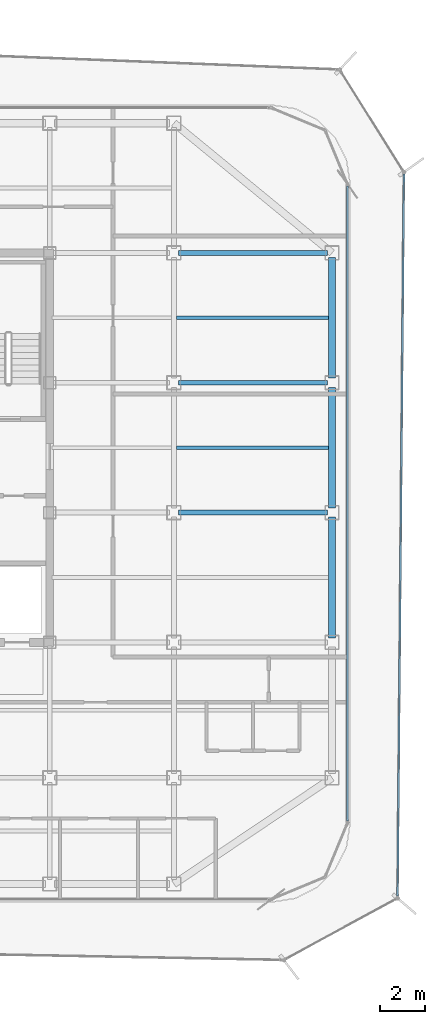
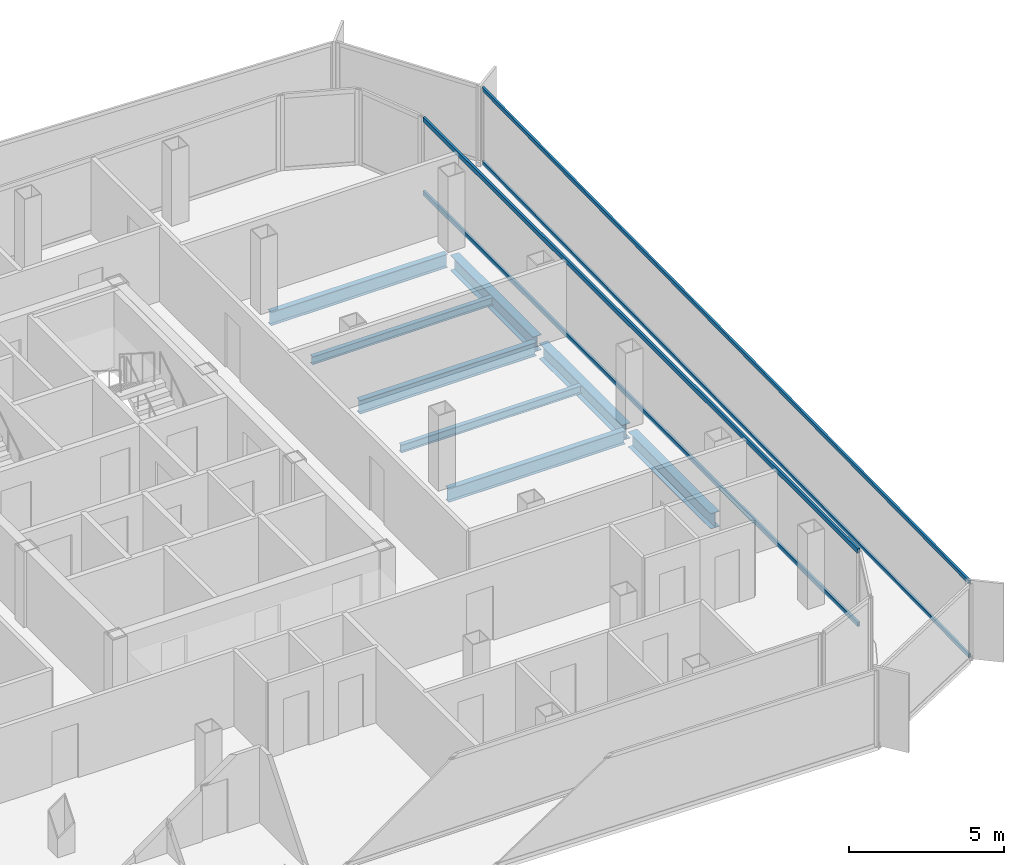
# One storey, part 5 of 15: 8 beams, 4 members, 2 elements without a shape of their own.
"""IFC4 building model written with IfcOpenShell, lengths in metres."""

from ifc_helpers import new_model, si_unit, direction, frame, origin, origin_2d, place, context, subcontext, project, spatial, hollow_rectangle, i_section, extrude, source, transform, mapped, material, layer, layer_set, material_profile, profile_set, type_object, element, aggregate, save


model = new_model("IFC4")

# Units and contexts
model_context = context("Model", 3, precision=1e-05, world=origin(), true_north=direction((0.0, 1.0)))
body_context = subcontext(model_context, "Body", "Model", "MODEL_VIEW")
ifc_project = project(units=[si_unit("LENGTHUNIT", "METRE"), si_unit("AREAUNIT", "SQUARE_METRE"), si_unit("VOLUMEUNIT", "CUBIC_METRE"), si_unit("PLANEANGLEUNIT", "RADIAN"), si_unit("MASSUNIT", "GRAM", prefix="KILO")], contexts=[model_context])

# Site, building, storey
site_placement = place(None, origin())
site = spatial("IfcSite", under=ifc_project, at=site_placement, CompositionType="ELEMENT")
building_placement = place(site_placement, origin())
building = spatial("IfcBuilding", under=site, at=building_placement, Name="Kolveth Station Tower", CompositionType="ELEMENT")
storey_placement = place(building_placement, frame((0.0, 0.0, 261.699951171875)))
storey = spatial("IfcBuildingStorey", under=building, at=storey_placement, Name="L75", CompositionType="ELEMENT", Elevation=261.699951171875)

# Beams
ifc_material_1 = material(Name="Steel S355", Category="steel")
ifc_material_profile_1 = material_profile(ifc_material_1, i_section(OverallWidth=0.323974609375, OverallDepth=0.611083984375, WebThickness=0.0126953125, FlangeThickness=0.01904296875, at=origin_2d()), Name="W610x155")
ifc_profile_set_1 = profile_set([ifc_material_profile_1], Name="Steel S355")
beam_type_1 = type_object("IfcBeamType", Name="Beam_SP2", PredefinedType="SPANDREL", material=ifc_profile_set_1)
shared_shape_1 = source(origin(), body_context, "Body", "SweptSolid", [
    extrude(i_section(OverallWidth=0.323974609375, OverallDepth=0.611083984375, WebThickness=0.0126953125, FlangeThickness=0.01904296875, at=origin_2d()), origin(), (0.0, 0.0, 1.0), 5.35009765625),
])
for number, where, z_axis, x_axis, name in (
    (1, (41.0, 11.699951171875, -0.525390625), (0.0, 1.0, 0.0), (-1.0, 0.0, 0.0), "L75 Perimeter Spandrel BM-L75-PE-2"),
    (2, (41.0, 17.449951171875, -0.525390625), (0.0, 1.0, 0.0), (-1.0, 0.0, 0.0), "L75 Perimeter Spandrel BM-L75-PE-3"),
    (3, (41.0, 23.199951171875, -0.525390625), (0.0, 1.0, 0.0), (-1.0, 0.0, 0.0), "L75 Perimeter Spandrel BM-L75-PE-4"),
):
    element("IfcBeam", number, at=place(storey_placement, frame(where, z_axis=z_axis, x_axis=x_axis)), inside=storey, type_object=beam_type_1, Name=name, PredefinedType="SPANDREL", context=body_context, shape_type="MappedRepresentation", body=[
        mapped(shared_shape_1, transform((0.0, 0.0, 0.0), x_axis=(1.0, 0.0, 0.0), y_axis=(0.0, 1.0, 0.0), z_axis=(0.0, 0.0, 1.0), scale=1.0)),
    ])
ifc_material_profile_2 = material_profile(ifc_material_1, i_section(OverallWidth=0.2099609375, OverallDepth=0.537109375, WebThickness=0.010986328125, FlangeThickness=0.017333984375, at=origin_2d()), Name="W530x101")
ifc_profile_set_2 = profile_set([ifc_material_profile_2], Name="Steel S355")
beam_type_2 = type_object("IfcBeamType", Name="Beam_B6", PredefinedType="BEAM", material=ifc_profile_set_2)
shared_shape_2 = source(origin(), body_context, "Body", "SweptSolid", [
    extrude(i_section(OverallWidth=0.2099609375, OverallDepth=0.537109375, WebThickness=0.010986328125, FlangeThickness=0.017333984375, at=origin_2d()), origin(), (0.0, 0.0, 1.0), 6.60009765625),
])
for number, where, z_axis, x_axis, name in (
    (4, (34.199951171875, 17.25, -0.488525390625), (1.0, 0.0, 0.0), (0.0, 1.0, 0.0), "L75 Primary Girder BM-L75-GY172-5"),
    (5, (34.199951171875, 23.0, -0.488525390625), (1.0, 0.0, 0.0), (0.0, 1.0, 0.0), "L75 Primary Girder BM-L75-GY230-5"),
    (6, (34.199951171875, 28.75, -0.488525390625), (1.0, 0.0, 0.0), (0.0, 1.0, 0.0), "L75 Primary Girder BM-L75-GY287-5"),
):
    element("IfcBeam", number, at=place(storey_placement, frame(where, z_axis=z_axis, x_axis=x_axis)), inside=storey, type_object=beam_type_2, Name=name, PredefinedType="BEAM", context=body_context, shape_type="MappedRepresentation", body=[
        mapped(shared_shape_2, transform((0.0, 0.0, 0.0), x_axis=(1.0, 0.0, 0.0), y_axis=(0.0, 1.0, 0.0), z_axis=(0.0, 0.0, 1.0), scale=1.0)),
    ])
ifc_material_profile_3 = material_profile(ifc_material_1, i_section(OverallWidth=0.1650390625, OverallDepth=0.31005859375, WebThickness=0.005859375, FlangeThickness=0.009765625, at=origin_2d()), Name="W310x39")
ifc_profile_set_3 = profile_set([ifc_material_profile_3], Name="Steel S355")
beam_type_3 = type_object("IfcBeamType", Name="Beam_J3", PredefinedType="JOIST", material=ifc_profile_set_3)
shared_shape_3 = source(origin(), body_context, "Body", "SweptSolid", [
    extrude(i_section(OverallWidth=0.1650390625, OverallDepth=0.31005859375, WebThickness=0.005859375, FlangeThickness=0.009765625, at=origin_2d()), origin(), (0.0, 0.0, 1.0), 6.737060546875),
])
for number, where, z_axis, x_axis, name in (
    (7, (34.10302734375, 20.125, -0.375), (1.0, 0.0, 0.0), (0.0, 1.0, 0.0), "L75 Secondary Joist JST-L75-5-4"),
    (8, (34.10302734375, 25.875, -0.375), (1.0, 0.0, 0.0), (0.0, 1.0, 0.0), "L75 Secondary Joist JST-L75-5-5"),
):
    element("IfcBeam", number, at=place(storey_placement, frame(where, z_axis=z_axis, x_axis=x_axis)), inside=storey, type_object=beam_type_3, Name=name, PredefinedType="JOIST", context=body_context, shape_type="MappedRepresentation", body=[
        mapped(shared_shape_3, transform((0.0, 0.0, 0.0), x_axis=(1.0, 0.0, 0.0), y_axis=(0.0, 1.0, 0.0), z_axis=(0.0, 0.0, 1.0), scale=1.0)),
    ])

# Curtain wall, members
ifc_material_2 = material(Name="Aluminium 6063-T6 and triple low-E dark glass", Category="aluminium")
ifc_layer_1 = layer(ifc_material_2, 0.199951171875)
ifc_layer_set_1 = layer_set([ifc_layer_1], Name="Aluminium 6063-T6 and triple low-E dark glass")
curtain_wall_type_1 = type_object("IfcCurtainWallType", Name="CurtainWall_CW-Z3", PredefinedType="NOTDEFINED", material=ifc_layer_set_1)
curtain_wall_1_placement = place(storey_placement, origin())
curtain_wall_1 = element("IfcCurtainWall", 9, at=curtain_wall_1_placement, inside=storey, type_object=curtain_wall_type_1, Name="L75 Inner Thermal Curtain Wall 3", PredefinedType="NOTDEFINED")
ifc_material_3 = material(Name="Black anodized aluminium 6063-T6", Category="aluminium")
ifc_material_profile_4 = material_profile(ifc_material_3, hollow_rectangle(XDim=0.0849609375, YDim=0.179931640625, WallThickness=0.0048828125, at=origin_2d()), Name="ALU-85x180x5")
ifc_profile_set_4 = profile_set([ifc_material_profile_4], Name="Black anodized aluminium 6063-T6")
member_type_1 = type_object("IfcMemberType", Name="Transom_TR3", PredefinedType="USERDEFINED", material=ifc_profile_set_4)
shared_shape_4 = source(origin(), body_context, "Body", "SweptSolid", [
    extrude(hollow_rectangle(XDim=0.0849609375, YDim=0.179931640625, WallThickness=0.0048828125, at=origin_2d()), origin(), (0.0, 0.0, 1.0), 28.130126953125),
])
member_1_placement = place(storey_placement, frame((41.679931640625, 3.5849609375, 0.04248046875), z_axis=(0.0, 1.0, 0.0), x_axis=(-1.0, 0.0, 0.0)))
member_1 = element("IfcMember", 10, at=member_1_placement, type_object=member_type_1, Name="CW-Z3 transom 1.1", ObjectType="TRANSOM", PredefinedType="USERDEFINED", context=body_context, shape_type="MappedRepresentation", body=[
    mapped(shared_shape_4, transform((0.0, 0.0, 0.0), x_axis=(1.0, 0.0, 0.0), y_axis=(0.0, 1.0, 0.0), z_axis=(0.0, 0.0, 1.0), scale=1.0)),
])
member_2_placement = place(storey_placement, frame((41.679931640625, 3.5849609375, 2.9375), z_axis=(0.0, 1.0, 0.0), x_axis=(-1.0, 0.0, 0.0)))
member_2 = element("IfcMember", 11, at=member_2_placement, type_object=member_type_1, Name="CW-Z3 transom 1.2", ObjectType="TRANSOM", PredefinedType="USERDEFINED", context=body_context, shape_type="MappedRepresentation", body=[
    mapped(shared_shape_4, transform((0.0, 0.0, 0.0), x_axis=(1.0, 0.0, 0.0), y_axis=(0.0, 1.0, 0.0), z_axis=(0.0, 0.0, 1.0), scale=1.0)),
])
aggregate(curtain_wall_1, [member_1, member_2])

ifc_material_4 = material(Name="Black anodized aluminium 6063-T6 and dark solar glass", Category="aluminium")
ifc_layer_2 = layer(ifc_material_4, 0.159912109375)
ifc_layer_set_2 = layer_set([ifc_layer_2], Name="Black anodized aluminium 6063-T6 and dark solar glass")
curtain_wall_type_2 = type_object("IfcCurtainWallType", Name="OUTER SKIN CW-OS", PredefinedType="NOTDEFINED", material=ifc_layer_set_2)
curtain_wall_2_placement = place(storey_placement, origin())
curtain_wall_2 = element("IfcCurtainWall", 12, at=curtain_wall_2_placement, inside=storey, type_object=curtain_wall_type_2, Name="L75 Outer Ventilated Skin Curtain Wall 2", PredefinedType="NOTDEFINED")
ifc_material_profile_5 = material_profile(ifc_material_3, hollow_rectangle(XDim=0.080078125, YDim=0.14990234375, WallThickness=0.0048828125, at=origin_2d()), Name="ALU-80x150x5")
ifc_profile_set_5 = profile_set([ifc_material_profile_5], Name="Black anodized aluminium 6063-T6")
member_type_2 = type_object("IfcMemberType", Name="Transom_TR-OS", PredefinedType="USERDEFINED", material=ifc_profile_set_5)
shared_shape_5 = source(origin(), body_context, "Body", "SweptSolid", [
    extrude(hollow_rectangle(XDim=0.080078125, YDim=0.14990234375, WallThickness=0.0048828125, at=origin_2d()), origin(), (0.0, 0.0, 1.0), 31.977783203125),
])
member_3_placement = place(storey_placement, frame((43.90380859375, 0.259521484375, 0.0400390625), z_axis=(0.008779896121, 0.999961455969, 0.0), x_axis=(-0.999961455969, 0.008779896121, 0.0)))
member_3 = element("IfcMember", 13, at=member_3_placement, type_object=member_type_2, Name="CW-OS transom 1.1", ObjectType="TRANSOM", PredefinedType="USERDEFINED", context=body_context, shape_type="MappedRepresentation", body=[
    mapped(shared_shape_5, transform((0.0, 0.0, 0.0), x_axis=(1.0, 0.0, 0.0), y_axis=(0.0, 1.0, 0.0), z_axis=(0.0, 0.0, 1.0), scale=1.0)),
])
member_4_placement = place(storey_placement, frame((43.90380859375, 0.259521484375, 2.949951171875), z_axis=(0.008779896121, 0.999961455969, 0.0), x_axis=(-0.999961455969, 0.008779896121, 0.0)))
member_4 = element("IfcMember", 14, at=member_4_placement, type_object=member_type_2, Name="CW-OS transom 1.2", ObjectType="TRANSOM", PredefinedType="USERDEFINED", context=body_context, shape_type="MappedRepresentation", body=[
    mapped(shared_shape_5, transform((0.0, 0.0, 0.0), x_axis=(1.0, 0.0, 0.0), y_axis=(0.0, 1.0, 0.0), z_axis=(0.0, 0.0, 1.0), scale=1.0)),
])
aggregate(curtain_wall_2, [member_3, member_4])

save(model, "model.ifc")
